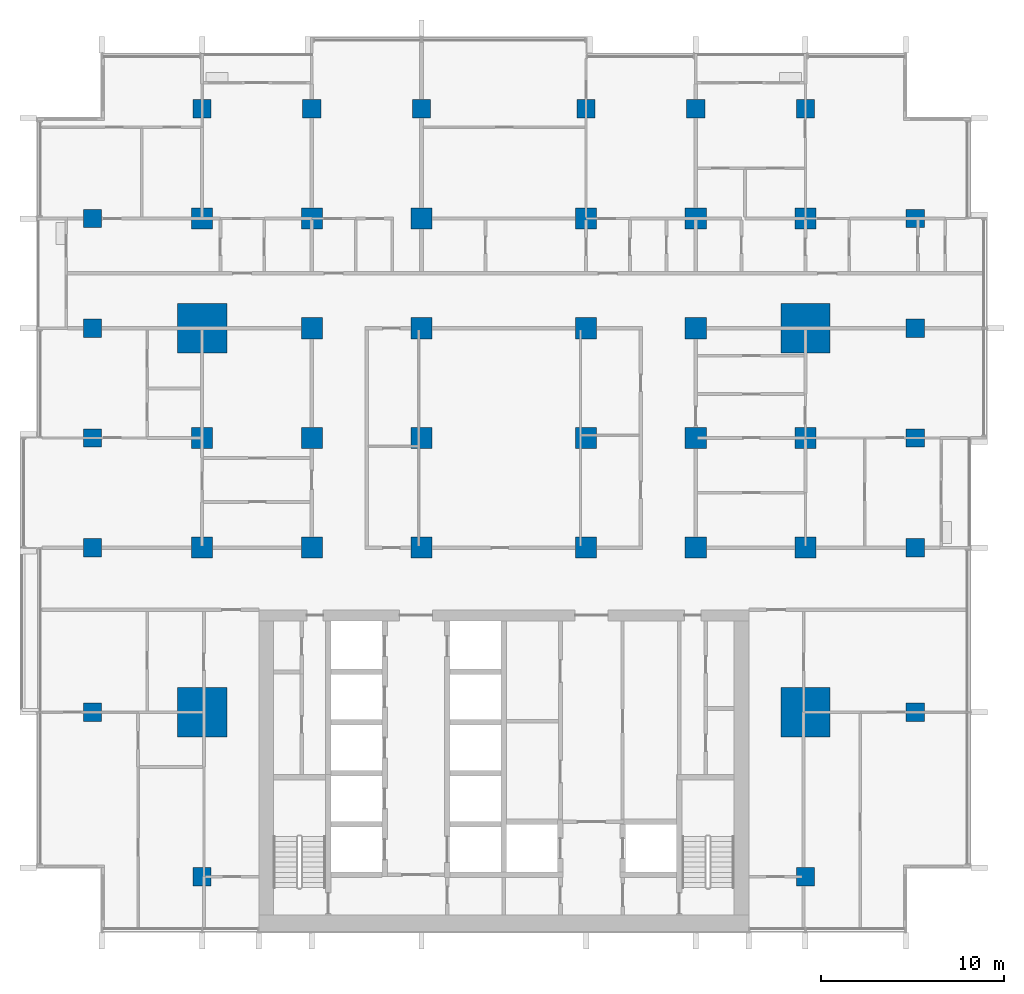
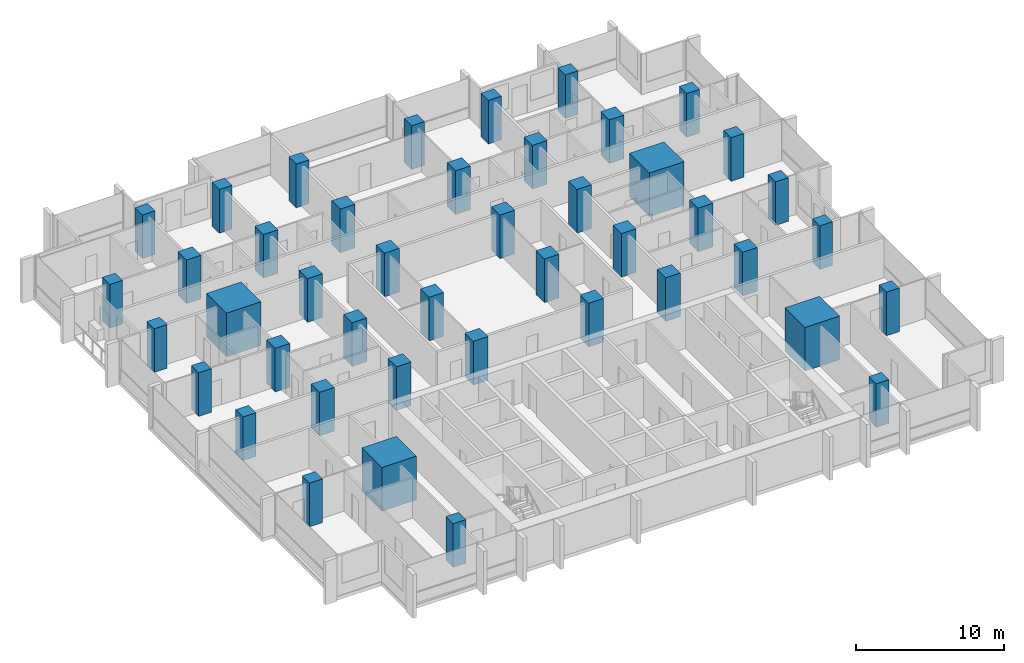
# One storey, part 1 of 18: 44 columns.
"""IFC4 building model written with IfcOpenShell, lengths in metres."""

import ifcopenshell
import ifcopenshell.guid

model = None  # the IFC model being written
_history = None  # IfcOwnerHistory: only IFC2X3 demands one
_inside = {}  # id of a spatial element -> (the spatial element, [elements in it])
_under = {}  # id of a project, library or spatial element -> (it, [spatial elements below it])
_declared = {}  # id of a project -> (the project, [libraries it declares])
_typed = {}  # id of a type object -> (the type object, [elements of that type])
_made_of = {}  # id of a material, layer set ... -> (it, [elements and type objects made of it])


def new_model(schema):
    """Start an empty IFC model of exactly this schema.

    Asked for "IFC4X3", IfcOpenShell would pick the latest addendum, in which some entities
    have other attributes; the version numbers below select the first issue.
    IFC2X3 requires an IfcOwnerHistory on every rooted entity: one is made here for all.
    """
    global model, _history
    if schema == "IFC4X3":
        model = ifcopenshell.file(schema_version=(4, 3, 0, 0))
    else:
        model = ifcopenshell.file(schema=schema)
    _inside.clear()
    _under.clear()
    _declared.clear()
    _typed.clear()
    _made_of.clear()
    _history = None
    if model.schema == "IFC2X3":
        org = make("IfcOrganization", Name="unknown")
        user = make(
            "IfcPersonAndOrganization",
            ThePerson=make("IfcPerson", FamilyName="unknown"),
            TheOrganization=org,
        )
        app = make(
            "IfcApplication",
            ApplicationDeveloper=org,
            Version="unknown",
            ApplicationFullName="unknown",
            ApplicationIdentifier="unknown",
        )
        _history = make(
            "IfcOwnerHistory",
            OwningUser=user,
            OwningApplication=app,
            ChangeAction="ADDED",
            CreationDate=0,
        )
    return model


def make(cls, **values):
    """One entity of the class cls with the attributes given. An attribute that is None is left unset."""
    return model.create_entity(
        cls, **{name: value for name, value in values.items() if value is not None}
    )


def rooted(cls, **values):
    """An entity with a GlobalId (a new one), such as an element, a storey or a relation."""
    return make(cls, GlobalId=ifcopenshell.guid.new(), OwnerHistory=_history, **values)


def si_unit(unit_type, name, prefix=None):
    """IfcSIUnit, for example si_unit("LENGTHUNIT", "METRE", prefix="MILLI")."""
    return make("IfcSIUnit", UnitType=unit_type, Prefix=prefix, Name=name)


def assignment(units):
    """IfcUnitAssignment: the units of a project."""
    return None if units is None else make("IfcUnitAssignment", Units=units)


def point(xyz):
    """IfcCartesianPoint."""
    return None if xyz is None else make("IfcCartesianPoint", Coordinates=xyz)


def direction(xyz):
    """IfcDirection."""
    return None if xyz is None else make("IfcDirection", DirectionRatios=xyz)


def frame(location, z_axis=None, x_axis=None):
    """IfcAxis2Placement3D, a coordinate frame: its origin and axes. An axis left out is left unset."""
    return make(
        "IfcAxis2Placement3D",
        Location=point(location),
        Axis=direction(z_axis),
        RefDirection=direction(x_axis),
    )


def frame_2d(location, x_axis=None):
    """IfcAxis2Placement2D, a coordinate frame in the plane: its origin and x axis."""
    return make(
        "IfcAxis2Placement2D", Location=point(location), RefDirection=direction(x_axis)
    )


def origin():
    """The frame at (0, 0, 0) with its axes left unset."""
    return frame((0.0, 0.0, 0.0))


def origin_2d():
    """The frame at (0, 0) in the plane with its x axis left unset."""
    return frame_2d((0.0, 0.0))


def place(relative_to, where):
    """IfcLocalPlacement: puts the frame where relative to a parent placement (None: the world)."""
    return make(
        "IfcLocalPlacement", PlacementRelTo=relative_to, RelativePlacement=where
    )


def context(
    kind, dimensions, precision=None, world=None, true_north=None, identifier=None
):
    """IfcGeometricRepresentationContext, for example the 3D "Model" context."""
    return make(
        "IfcGeometricRepresentationContext",
        ContextIdentifier=identifier,
        ContextType=kind,
        CoordinateSpaceDimension=dimensions,
        Precision=precision,
        WorldCoordinateSystem=world,
        TrueNorth=true_north,
    )


def subcontext(parent, identifier, kind, view, scale=None):
    """IfcGeometricRepresentationSubContext, for example "Body" below "Model"."""
    return make(
        "IfcGeometricRepresentationSubContext",
        ContextIdentifier=identifier,
        ContextType=kind,
        ParentContext=parent,
        TargetScale=scale,
        TargetView=view,
    )


def project(units=None, contexts=None):
    """IfcProject with its units and contexts."""
    return rooted(
        "IfcProject",
        Name="project",
        RepresentationContexts=contexts,
        UnitsInContext=assignment(units),
    )


def spatial(cls, under=None, at=None, **own):
    """A site, building, storey or space (cls), placed at a placement, below another one or the project."""
    s = rooted(cls, ObjectPlacement=at, **own)
    if under is not None:
        _under.setdefault(under.id(), (under, []))[1].append(s)
    return s


def profile(cls, at=None, kind="AREA", **sizes):
    """A parametric profile (cls). Its sizes go by their IFC names, for example OverallWidth=200.0."""
    return make(cls, ProfileType=kind, Position=at, **sizes)


def rectangle(**sizes):
    """IfcRectangleProfileDef."""
    return profile("IfcRectangleProfileDef", **sizes)


def extrude(swept, where, along, depth):
    """IfcExtrudedAreaSolid: the profile swept, set in the frame where, extruded along a direction by depth."""
    return make(
        "IfcExtrudedAreaSolid",
        SweptArea=swept,
        Position=where,
        ExtrudedDirection=direction(along),
        Depth=depth,
    )


def shape(context_of_items, identifier, shape_type, items):
    """IfcShapeRepresentation: the items that make up one representation, for example the "Body"."""
    return make(
        "IfcShapeRepresentation",
        ContextOfItems=context_of_items,
        RepresentationIdentifier=identifier,
        RepresentationType=shape_type,
        Items=items,
    )


def material(Name=None, Category=None):
    """IfcMaterial."""
    return make("IfcMaterial", Name=Name, Category=Category)


def material_profile(
    of_material, cross_section, Name=None, Category=None, Priority=None
):
    """IfcMaterialProfile: a cross section and its material."""
    return make(
        "IfcMaterialProfile",
        Name=Name,
        Material=of_material,
        Profile=cross_section,
        Priority=Priority,
        Category=Category,
    )


def profile_set(profiles, Name=None, composite=None):
    """IfcMaterialProfileSet."""
    return make(
        "IfcMaterialProfileSet",
        Name=Name,
        MaterialProfiles=profiles,
        CompositeProfile=composite,
    )


def made_of(thing, what):
    """Note that an element or type object is made of a material, layer set ...; save() writes the relation."""
    if what is not None:
        _made_of.setdefault(what.id(), (what, []))[1].append(thing)
    return thing


def type_object(cls, material=None, **own):
    """A type object (cls), such as IfcWallType, which elements share."""
    return made_of(rooted(cls, **own), material)


def element(
    cls,
    number,
    at=None,
    inside=None,
    cuts=None,
    type_object=None,
    material=None,
    context=None,
    identifier="Body",
    shape_type=None,
    held_by="IfcProductDefinitionShape",
    body=None,
    shapes=None,
    **own,
):
    """One element of the class cls, such as IfcWall. Its Tag is "e" and its number.

    at: its placement. inside: the storey or other place that contains it. cuts: it is an
    opening in that element (IfcRelVoidsElement). A single representation is given by context,
    identifier, shape_type and body (its items); several are given by shapes. held_by: the class
    of the entity that holds the representations. save() writes the other relations.
    """
    e = rooted(cls, Tag="e%d" % number, ObjectPlacement=at, **own)
    if body is not None:
        shapes = [shape(context, identifier, shape_type, body)]
    if shapes is not None:
        e.Representation = make(held_by, Representations=shapes)
    if inside is not None:
        _inside.setdefault(inside.id(), (inside, []))[1].append(e)
    if cuts is not None:
        rooted(
            "IfcRelVoidsElement", RelatingBuildingElement=cuts, RelatedOpeningElement=e
        )
    if type_object is not None:
        _typed.setdefault(type_object.id(), (type_object, []))[1].append(e)
    return made_of(e, material)


def aggregate(whole, parts):
    """IfcRelAggregates: a whole, such as a stair, and the parts it consists of."""
    return rooted("IfcRelAggregates", RelatingObject=whole, RelatedObjects=parts)


def save(model, path):
    """Write the relations noted so far, then the file.

    IfcRelAggregates (storeys below a building ...), IfcRelContainedInSpatialStructure (elements
    in a storey), IfcRelDefinesByType, IfcRelAssociatesMaterial and IfcRelDeclares: one each for
    every whole, place, type object, material and project.
    """
    for whole, parts in _under.values():
        aggregate(whole, parts)
    for where, things in _inside.values():
        rooted(
            "IfcRelContainedInSpatialStructure",
            RelatedElements=things,
            RelatingStructure=where,
        )
    for kind, things in _typed.values():
        rooted("IfcRelDefinesByType", RelatedObjects=things, RelatingType=kind)
    for what, things in _made_of.values():
        rooted("IfcRelAssociatesMaterial", RelatedObjects=things, RelatingMaterial=what)
    for by, libraries in _declared.values():
        rooted("IfcRelDeclares", RelatingContext=by, RelatedDefinitions=libraries)
    model.write(path)


model = new_model("IFC4")

# Units and contexts
model_context = context("Model", 3, precision=1e-05, world=origin(), true_north=direction((0.0, 1.0)))
body_context = subcontext(model_context, "Body", "Model", "MODEL_VIEW")
ifc_project = project(units=[si_unit("LENGTHUNIT", "METRE"), si_unit("AREAUNIT", "SQUARE_METRE"), si_unit("VOLUMEUNIT", "CUBIC_METRE"), si_unit("PLANEANGLEUNIT", "RADIAN"), si_unit("MASSUNIT", "GRAM", prefix="KILO")], contexts=[model_context])

# Site, building, storey
site_placement = place(None, origin())
site = spatial("IfcSite", under=ifc_project, at=site_placement, CompositionType="ELEMENT")
building_placement = place(site_placement, origin())
building = spatial("IfcBuilding", under=site, at=building_placement, Name="Finial Court Residences", CompositionType="ELEMENT")
storey_placement = place(building_placement, frame((0.0, 0.0, 106.300048828125)))
storey = spatial("IfcBuildingStorey", under=building, at=storey_placement, Name="L26", CompositionType="ELEMENT", Elevation=106.300048828125)

# Columns
ifc_material = material(Name="Concrete C70/85", Category="concrete")
ifc_material_profile_1 = material_profile(ifc_material, rectangle(XDim=1.14990234375, YDim=1.14990234375, at=origin_2d()), Name="1150x1150")
ifc_profile_set_1 = profile_set([ifc_material_profile_1], Name="Concrete C70/85")
column_type_1 = type_object("IfcColumnType", Name="Interior column 1150x1150 Concrete C70/85", PredefinedType="COLUMN", material=ifc_profile_set_1)
for number, where, z_axis, x_axis, name in (
    (1, (-16.5, -4.5, 0.0), (0.0, 0.0, 1.0), (1.0, 0.0, 0.0), "S:COL:L26:C4"),
    (2, (-16.5, 1.5, 0.0), (0.0, 0.0, 1.0), (1.0, 0.0, 0.0), "S:COL:L26:C5"),
    (3, (-16.5, 13.5, 0.0), (0.0, 0.0, 1.0), (1.0, 0.0, 0.0), "S:COL:L26:C7"),
    (4, (-10.5, -4.5, 0.0), (0.0, 0.0, 1.0), (1.0, 0.0, 0.0), "S:COL:L26:D4"),
    (5, (-10.5, 1.5, 0.0), (0.0, 0.0, 1.0), (1.0, 0.0, 0.0), "S:COL:L26:D5"),
    (6, (-10.5, 7.5, 0.0), (0.0, 0.0, 1.0), (1.0, 0.0, 0.0), "S:COL:L26:D6"),
    (7, (-10.5, 13.5, 0.0), (0.0, 0.0, 1.0), (1.0, 0.0, 0.0), "S:COL:L26:D7"),
    (8, (-4.5, -4.5, 0.0), (0.0, 0.0, 1.0), (1.0, 0.0, 0.0), "S:COL:L26:E4"),
    (9, (-4.5, 1.5, 0.0), (0.0, 0.0, 1.0), (1.0, 0.0, 0.0), "S:COL:L26:E5"),
    (10, (-4.5, 7.5, 0.0), (0.0, 0.0, 1.0), (1.0, 0.0, 0.0), "S:COL:L26:E6"),
    (11, (-4.5, 13.5, 0.0), (0.0, 0.0, 1.0), (1.0, 0.0, 0.0), "S:COL:L26:E7"),
    (12, (4.5, -4.5, 0.0), (0.0, 0.0, 1.0), (1.0, 0.0, 0.0), "S:COL:L26:F4"),
    (13, (4.5, 1.5, 0.0), (0.0, 0.0, 1.0), (1.0, 0.0, 0.0), "S:COL:L26:F5"),
    (14, (4.5, 7.5, 0.0), (0.0, 0.0, 1.0), (1.0, 0.0, 0.0), "S:COL:L26:F6"),
    (15, (4.5, 13.5, 0.0), (0.0, 0.0, 1.0), (1.0, 0.0, 0.0), "S:COL:L26:F7"),
    (16, (10.5, -4.5, 0.0), (0.0, 0.0, 1.0), (1.0, 0.0, 0.0), "S:COL:L26:G4"),
    (17, (10.5, 1.5, 0.0), (0.0, 0.0, 1.0), (1.0, 0.0, 0.0), "S:COL:L26:G5"),
    (18, (10.5, 7.5, 0.0), (0.0, 0.0, 1.0), (1.0, 0.0, 0.0), "S:COL:L26:G6"),
    (19, (10.5, 13.5, 0.0), (0.0, 0.0, 1.0), (1.0, 0.0, 0.0), "S:COL:L26:G7"),
    (20, (16.5, -4.5, 0.0), (0.0, 0.0, 1.0), (1.0, 0.0, 0.0), "S:COL:L26:H4"),
    (21, (16.5, 1.5, 0.0), (0.0, 0.0, 1.0), (1.0, 0.0, 0.0), "S:COL:L26:H5"),
    (22, (16.5, 13.5, 0.0), (0.0, 0.0, 1.0), (1.0, 0.0, 0.0), "S:COL:L26:H7"),
):
    element("IfcColumn", number, at=place(storey_placement, frame(where, z_axis=z_axis, x_axis=x_axis)), inside=storey, type_object=column_type_1, Name=name, PredefinedType="COLUMN", context=body_context, shape_type="SweptSolid", body=[
        extrude(rectangle(XDim=1.14990234375, YDim=1.14990234375, at=origin_2d()), origin(), (0.0, 0.0, 1.0), 3.599853515625),
    ])
ifc_material_profile_2 = material_profile(ifc_material, rectangle(XDim=2.699951171875, YDim=2.699951171875, at=origin_2d()), Name="2700x2700")
ifc_profile_set_2 = profile_set([ifc_material_profile_2], Name="Concrete C70/85")
column_type_2 = type_object("IfcColumnType", Name="Mega column 2700x2700 Concrete C70/85", PredefinedType="COLUMN", material=ifc_profile_set_2)
for number, where, z_axis, x_axis, name in (
    (23, (-16.5, -13.5, 0.0), (0.0, 0.0, 1.0), (1.0, 0.0, 0.0), "S:COL:L26:C3"),
    (24, (-16.5, 7.5, 0.0), (0.0, 0.0, 1.0), (1.0, 0.0, 0.0), "S:COL:L26:C6"),
    (25, (16.5, -13.5, 0.0), (0.0, 0.0, 1.0), (1.0, 0.0, 0.0), "S:COL:L26:H3"),
    (26, (16.5, 7.5, 0.0), (0.0, 0.0, 1.0), (1.0, 0.0, 0.0), "S:COL:L26:H6"),
):
    element("IfcColumn", number, at=place(storey_placement, frame(where, z_axis=z_axis, x_axis=x_axis)), inside=storey, type_object=column_type_2, Name=name, PredefinedType="COLUMN", context=body_context, shape_type="SweptSolid", body=[
        extrude(rectangle(XDim=2.699951171875, YDim=2.699951171875, at=origin_2d()), origin(), (0.0, 0.0, 1.0), 3.599853515625),
    ])
ifc_material_profile_3 = material_profile(ifc_material, rectangle(XDim=1.0, YDim=1.0, at=origin_2d()), Name="1000x1000")
ifc_profile_set_3 = profile_set([ifc_material_profile_3], Name="Concrete C70/85")
column_type_3 = type_object("IfcColumnType", Name="Perimeter column 1000x1000 Concrete C70/85", PredefinedType="COLUMN", material=ifc_profile_set_3)
for number, where, z_axis, x_axis, name in (
    (27, (-22.5, -13.5, 0.0), (0.0, 0.0, 1.0), (1.0, 0.0, 0.0), "S:COL:L26:B3"),
    (28, (-22.5, -4.5, 0.0), (0.0, 0.0, 1.0), (1.0, 0.0, 0.0), "S:COL:L26:B4"),
    (29, (-22.5, 1.5, 0.0), (0.0, 0.0, 1.0), (1.0, 0.0, 0.0), "S:COL:L26:B5"),
    (30, (-22.5, 7.5, 0.0), (0.0, 0.0, 1.0), (1.0, 0.0, 0.0), "S:COL:L26:B6"),
    (31, (-22.5, 13.5, 0.0), (0.0, 0.0, 1.0), (1.0, 0.0, 0.0), "S:COL:L26:B7"),
    (32, (-16.5, -22.5, 0.0), (0.0, 0.0, 1.0), (1.0, 0.0, 0.0), "S:COL:L26:C2"),
    (33, (-16.5, 19.5, 0.0), (0.0, 0.0, 1.0), (1.0, 0.0, 0.0), "S:COL:L26:C8"),
    (34, (-10.5, 19.5, 0.0), (0.0, 0.0, 1.0), (1.0, 0.0, 0.0), "S:COL:L26:D8"),
    (35, (-4.5, 19.5, 0.0), (0.0, 0.0, 1.0), (1.0, 0.0, 0.0), "S:COL:L26:E8"),
    (36, (4.5, 19.5, 0.0), (0.0, 0.0, 1.0), (1.0, 0.0, 0.0), "S:COL:L26:F8"),
    (37, (10.5, 19.5, 0.0), (0.0, 0.0, 1.0), (1.0, 0.0, 0.0), "S:COL:L26:G8"),
    (38, (16.5, -22.5, 0.0), (0.0, 0.0, 1.0), (1.0, 0.0, 0.0), "S:COL:L26:H2"),
    (39, (16.5, 19.5, 0.0), (0.0, 0.0, 1.0), (1.0, 0.0, 0.0), "S:COL:L26:H8"),
    (40, (22.5, -13.5, 0.0), (0.0, 0.0, 1.0), (1.0, 0.0, 0.0), "S:COL:L26:I3"),
    (41, (22.5, -4.5, 0.0), (0.0, 0.0, 1.0), (1.0, 0.0, 0.0), "S:COL:L26:I4"),
    (42, (22.5, 1.5, 0.0), (0.0, 0.0, 1.0), (1.0, 0.0, 0.0), "S:COL:L26:I5"),
    (43, (22.5, 7.5, 0.0), (0.0, 0.0, 1.0), (1.0, 0.0, 0.0), "S:COL:L26:I6"),
    (44, (22.5, 13.5, 0.0), (0.0, 0.0, 1.0), (1.0, 0.0, 0.0), "S:COL:L26:I7"),
):
    element("IfcColumn", number, at=place(storey_placement, frame(where, z_axis=z_axis, x_axis=x_axis)), inside=storey, type_object=column_type_3, Name=name, PredefinedType="COLUMN", context=body_context, shape_type="SweptSolid", body=[
        extrude(rectangle(XDim=1.0, YDim=1.0, at=origin_2d()), origin(), (0.0, 0.0, 1.0), 3.599853515625),
    ])

save(model, "model.ifc")
